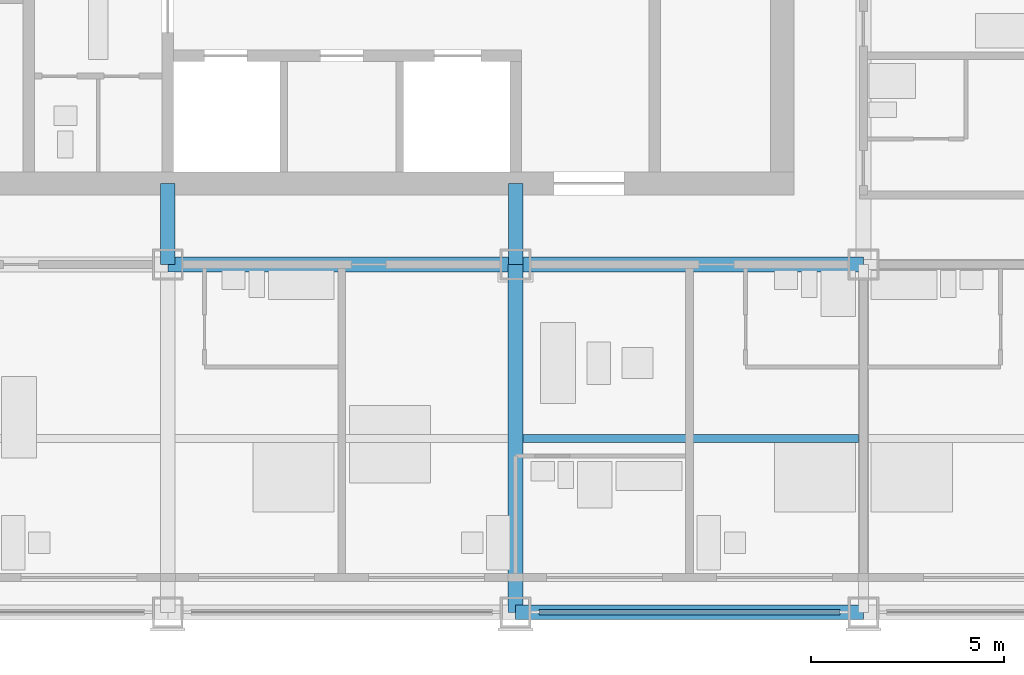
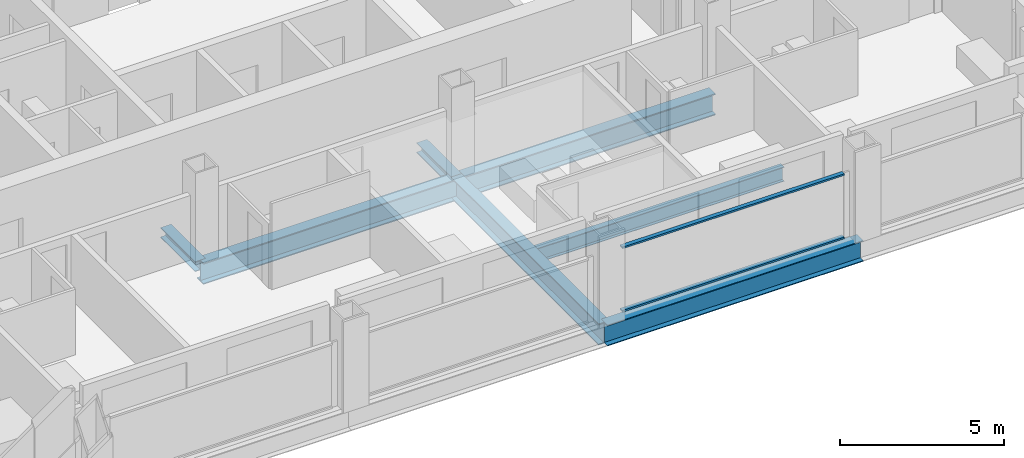
# One storey, part 3 of 13: 5 beams, 4 members, 1 element without a shape of its own.
"""IFC4 building model written with IfcOpenShell, lengths in metres."""

from ifc_helpers import new_model, si_unit, direction, frame, origin, origin_2d, place, context, subcontext, project, spatial, rectangle, i_section, extrude, material, material_profile, profile_set, type_object, element, aggregate, save


model = new_model("IFC4")

# Units and contexts
model_context = context("Model", 3, precision=1e-05, world=origin(), true_north=direction((0.0, 1.0)))
body_context = subcontext(model_context, "Body", "Model", "MODEL_VIEW")
ifc_project = project(units=[si_unit("LENGTHUNIT", "METRE"), si_unit("AREAUNIT", "SQUARE_METRE"), si_unit("VOLUMEUNIT", "CUBIC_METRE"), si_unit("PLANEANGLEUNIT", "RADIAN"), si_unit("MASSUNIT", "GRAM", prefix="KILO")], contexts=[model_context])

# Site, building, storey
site_placement = place(None, origin())
site = spatial("IfcSite", under=ifc_project, at=site_placement, CompositionType="ELEMENT")
building_placement = place(site_placement, origin())
building = spatial("IfcBuilding", under=site, at=building_placement, Name="Loomwork Tower", CompositionType="ELEMENT")
storey_placement = place(building_placement, frame((0.0, 0.0, 204.60009765625)))
storey = spatial("IfcBuildingStorey", under=building, at=storey_placement, Name="L56", CompositionType="ELEMENT", Elevation=204.60009765625)

# Beams
ifc_material_1 = material(Name="Steel ASTM A992", Category="steel")
ifc_material_profile_1 = material_profile(ifc_material_1, i_section(OverallWidth=0.383544921875, OverallDepth=0.794921875, WebThickness=0.02099609375, FlangeThickness=0.0380859375, at=origin_2d()), Name="W30x235")
ifc_profile_set_1 = profile_set([ifc_material_profile_1], Name="Steel ASTM A992")
beam_type_1 = type_object("IfcBeamType", Name="CORE FLANK GIRDER W30x235", PredefinedType="BEAM", material=ifc_profile_set_1)
for number, where, z_axis, x_axis, name in (
    (1, (18.0, 9.0, -0.59765625), (1.0, 0.0, 0.0), (0.0, 1.0, 0.0), "Core Flank Girder E/4-E/5 L56"),
    (2, (27.0, 9.0, -0.59765625), (1.0, 0.0, 0.0), (0.0, 1.0, 0.0), "Core Flank Girder E/5-E/6 L56"),
    (3, (27.0, 0.0, -0.59765625), (0.0, 1.0, 0.0), (-1.0, 0.0, 0.0), "Core Flank Girder D/5-E/5 L56"),
):
    element("IfcBeam", number, at=place(storey_placement, frame(where, z_axis=z_axis, x_axis=x_axis)), inside=storey, type_object=beam_type_1, Name=name, PredefinedType="BEAM", context=body_context, shape_type="SweptSolid", body=[
        extrude(i_section(OverallWidth=0.383544921875, OverallDepth=0.794921875, WebThickness=0.02099609375, FlangeThickness=0.0380859375, at=origin_2d()), origin(), (0.0, 0.0, 1.0), 9.0),
    ])

# Members
ifc_material_2 = material(Name="Steel ASTM A992", Category="steel")
ifc_material_profile_2 = material_profile(ifc_material_2, i_section(OverallWidth=0.373291015625, OverallDepth=0.373291015625, WebThickness=0.016357421875, FlangeThickness=0.026123046875, at=origin_2d()), Name="W14x132")
ifc_profile_set_2 = profile_set([ifc_material_profile_2], Name="Steel ASTM A992")
member_type_1 = type_object("IfcMemberType", Name="CORE LINK STRUT W14x132", PredefinedType="STRUT", material=ifc_profile_set_2)
for number, where, z_axis, x_axis, name in (
    (4, (27.0, 9.0, -0.38671875), (0.0, 1.0, 0.0), (-1.0, 0.0, 0.0), "Core link strut E/5-27.000,11.100 L56"),
    (5, (18.0, 9.0, -0.38671875), (0.0, 1.0, 0.0), (-1.0, 0.0, 0.0), "Core link strut E/4-18.000,11.100 L56"),
):
    element("IfcMember", number, at=place(storey_placement, frame(where, z_axis=z_axis, x_axis=x_axis)), inside=storey, type_object=member_type_1, Name=name, PredefinedType="STRUT", context=body_context, shape_type="SweptSolid", body=[
        extrude(i_section(OverallWidth=0.373291015625, OverallDepth=0.373291015625, WebThickness=0.016357421875, FlangeThickness=0.026123046875, at=origin_2d()), origin(), (0.0, 0.0, 1.0), 2.10009765625),
    ])

# Beam
ifc_material_3 = material(Name="Steel ASTM A992", Category="steel")
ifc_material_profile_3 = material_profile(ifc_material_3, i_section(OverallWidth=0.2109375, OverallDepth=0.53857421875, WebThickness=0.011474609375, FlangeThickness=0.018798828125, at=origin_2d()), Name="W21x73")
ifc_profile_set_3 = profile_set([ifc_material_profile_3], Name="Steel ASTM A992")
beam_type_2 = type_object("IfcBeamType", Name="FLOOR JOIST W21x73", PredefinedType="JOIST", material=ifc_profile_set_3)
beam_1_placement = place(storey_placement, frame((27.19091796875, 4.5, -0.46923828125), z_axis=(1.0, 0.0, 0.0), x_axis=(0.0, 1.0, 0.0)))
element("IfcBeam", 6, at=beam_1_placement, inside=storey, type_object=beam_type_2, Name="Floor Joist 27.000,4.500-36.000,4.500 L56", PredefinedType="JOIST", context=body_context, shape_type="SweptSolid", body=[
    extrude(i_section(OverallWidth=0.2109375, OverallDepth=0.53857421875, WebThickness=0.011474609375, FlangeThickness=0.018798828125, at=origin_2d()), origin(), (0.0, 0.0, 1.0), 8.676025390625),
])

# Curtain wall, members
ifc_material_4 = material(Name="Aluminium curtain wall frame", Category="aluminium")
curtain_wall_type = type_object("IfcCurtainWallType", Name="Outer skin glazing hotel", PredefinedType="NOTDEFINED", material=ifc_material_4)
curtain_wall_placement = place(storey_placement, origin())
curtain_wall = element("IfcCurtainWall", 7, at=curtain_wall_placement, inside=storey, type_object=curtain_wall_type, Name="Outer skin glazing hotel cw/S-27", PredefinedType="NOTDEFINED")
ifc_material_5 = material(Name="Aluminium curtain wall frame", Category="aluminium")
ifc_material_profile_4 = material_profile(ifc_material_5, rectangle(XDim=0.14990234375, YDim=0.06494140625, at=origin_2d()), Name="AL 65x150")
ifc_profile_set_4 = profile_set([ifc_material_profile_4], Name="Aluminium curtain wall frame")
member_type_2 = type_object("IfcMemberType", Name="Outer skin glazing hotel transom", PredefinedType="USERDEFINED", material=ifc_profile_set_4)
member_1_placement = place(storey_placement, frame((27.60009765625, 0.0, 0.032470703125), z_axis=(1.0, 0.0, 0.0), x_axis=(0.0, 1.0, 0.0)))
member_1 = element("IfcMember", 8, at=member_1_placement, type_object=member_type_2, Name="CW1 transom 1.1", ObjectType="TRANSOM", PredefinedType="USERDEFINED", context=body_context, shape_type="SweptSolid", body=[
    extrude(rectangle(XDim=0.14990234375, YDim=0.06494140625, at=origin_2d()), origin(), (0.0, 0.0, 1.0), 7.7998046875),
])
member_2_placement = place(storey_placement, frame((27.60009765625, 0.0, 2.3876953125), z_axis=(1.0, 0.0, 0.0), x_axis=(0.0, 1.0, 0.0)))
member_2 = element("IfcMember", 9, at=member_2_placement, type_object=member_type_2, Name="CW1 transom 1.2", ObjectType="TRANSOM", PredefinedType="USERDEFINED", context=body_context, shape_type="SweptSolid", body=[
    extrude(rectangle(XDim=0.14990234375, YDim=0.06494140625, at=origin_2d()), origin(), (0.0, 0.0, 1.0), 7.7998046875),
])
aggregate(curtain_wall, [member_1, member_2])

# Beam
ifc_material_6 = material(Name="Steel ASTM A992", Category="steel")
ifc_material_profile_5 = material_profile(ifc_material_6, i_section(OverallWidth=0.381103515625, OverallDepth=0.77978515625, WebThickness=0.01806640625, FlangeThickness=0.0302734375, at=origin_2d()), Name="W30x191")
ifc_profile_set_5 = profile_set([ifc_material_profile_5], Name="Steel ASTM A992")
beam_type_3 = type_object("IfcBeamType", Name="SPANDREL GIRDER W30x191", PredefinedType="SPANDREL", material=ifc_profile_set_5)
beam_2_placement = place(storey_placement, frame((27.0, 0.0, -0.590087890625), z_axis=(1.0, 0.0, 0.0), x_axis=(0.0, 1.0, 0.0)))
element("IfcBeam", 10, at=beam_2_placement, inside=storey, type_object=beam_type_3, Name="Spandrel Girder D/5-D/6 L56", PredefinedType="SPANDREL", context=body_context, shape_type="SweptSolid", body=[
    extrude(i_section(OverallWidth=0.381103515625, OverallDepth=0.77978515625, WebThickness=0.01806640625, FlangeThickness=0.0302734375, at=origin_2d()), origin(), (0.0, 0.0, 1.0), 9.0),
])

save(model, "model.ifc")
